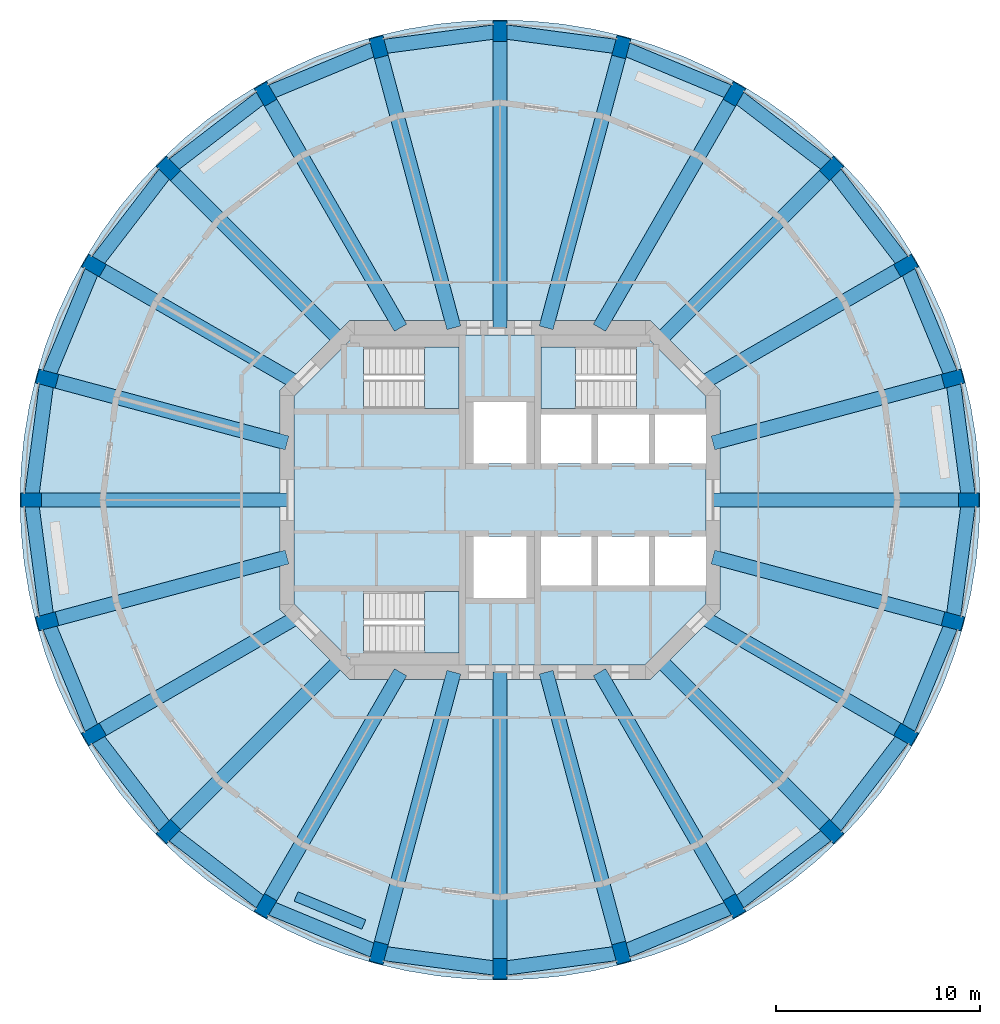
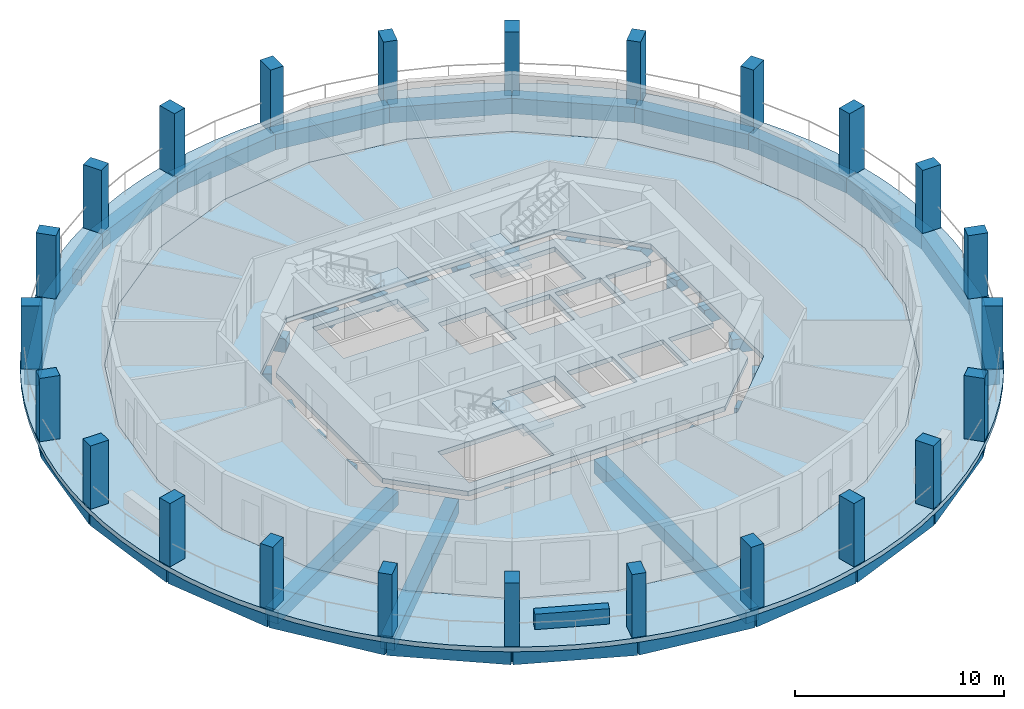
# One storey, part 1 of 8: 48 beams, 24 columns, 6 slabs, 1 wall, 3 elements without a shape of their own.
"""IFC4 building model written with IfcOpenShell, lengths in metres."""

import ifcopenshell
import ifcopenshell.guid

model = None  # the IFC model being written
_history = None  # IfcOwnerHistory: only IFC2X3 demands one
_inside = {}  # id of a spatial element -> (the spatial element, [elements in it])
_under = {}  # id of a project, library or spatial element -> (it, [spatial elements below it])
_declared = {}  # id of a project -> (the project, [libraries it declares])
_typed = {}  # id of a type object -> (the type object, [elements of that type])
_made_of = {}  # id of a material, layer set ... -> (it, [elements and type objects made of it])


def new_model(schema):
    """Start an empty IFC model of exactly this schema.

    Asked for "IFC4X3", IfcOpenShell would pick the latest addendum, in which some entities
    have other attributes; the version numbers below select the first issue.
    IFC2X3 requires an IfcOwnerHistory on every rooted entity: one is made here for all.
    """
    global model, _history
    if schema == "IFC4X3":
        model = ifcopenshell.file(schema_version=(4, 3, 0, 0))
    else:
        model = ifcopenshell.file(schema=schema)
    _inside.clear()
    _under.clear()
    _declared.clear()
    _typed.clear()
    _made_of.clear()
    _history = None
    if model.schema == "IFC2X3":
        org = make("IfcOrganization", Name="unknown")
        user = make(
            "IfcPersonAndOrganization",
            ThePerson=make("IfcPerson", FamilyName="unknown"),
            TheOrganization=org,
        )
        app = make(
            "IfcApplication",
            ApplicationDeveloper=org,
            Version="unknown",
            ApplicationFullName="unknown",
            ApplicationIdentifier="unknown",
        )
        _history = make(
            "IfcOwnerHistory",
            OwningUser=user,
            OwningApplication=app,
            ChangeAction="ADDED",
            CreationDate=0,
        )
    return model


def make(cls, **values):
    """One entity of the class cls with the attributes given. An attribute that is None is left unset."""
    return model.create_entity(
        cls, **{name: value for name, value in values.items() if value is not None}
    )


def rooted(cls, **values):
    """An entity with a GlobalId (a new one), such as an element, a storey or a relation."""
    return make(cls, GlobalId=ifcopenshell.guid.new(), OwnerHistory=_history, **values)


def si_unit(unit_type, name, prefix=None):
    """IfcSIUnit, for example si_unit("LENGTHUNIT", "METRE", prefix="MILLI")."""
    return make("IfcSIUnit", UnitType=unit_type, Prefix=prefix, Name=name)


def assignment(units):
    """IfcUnitAssignment: the units of a project."""
    return None if units is None else make("IfcUnitAssignment", Units=units)


def point(xyz):
    """IfcCartesianPoint."""
    return None if xyz is None else make("IfcCartesianPoint", Coordinates=xyz)


def direction(xyz):
    """IfcDirection."""
    return None if xyz is None else make("IfcDirection", DirectionRatios=xyz)


def frame(location, z_axis=None, x_axis=None):
    """IfcAxis2Placement3D, a coordinate frame: its origin and axes. An axis left out is left unset."""
    return make(
        "IfcAxis2Placement3D",
        Location=point(location),
        Axis=direction(z_axis),
        RefDirection=direction(x_axis),
    )


def frame_2d(location, x_axis=None):
    """IfcAxis2Placement2D, a coordinate frame in the plane: its origin and x axis."""
    return make(
        "IfcAxis2Placement2D", Location=point(location), RefDirection=direction(x_axis)
    )


def origin():
    """The frame at (0, 0, 0) with its axes left unset."""
    return frame((0.0, 0.0, 0.0))


def origin_2d():
    """The frame at (0, 0) in the plane with its x axis left unset."""
    return frame_2d((0.0, 0.0))


def place(relative_to, where):
    """IfcLocalPlacement: puts the frame where relative to a parent placement (None: the world)."""
    return make(
        "IfcLocalPlacement", PlacementRelTo=relative_to, RelativePlacement=where
    )


def context(
    kind, dimensions, precision=None, world=None, true_north=None, identifier=None
):
    """IfcGeometricRepresentationContext, for example the 3D "Model" context."""
    return make(
        "IfcGeometricRepresentationContext",
        ContextIdentifier=identifier,
        ContextType=kind,
        CoordinateSpaceDimension=dimensions,
        Precision=precision,
        WorldCoordinateSystem=world,
        TrueNorth=true_north,
    )


def subcontext(parent, identifier, kind, view, scale=None):
    """IfcGeometricRepresentationSubContext, for example "Body" below "Model"."""
    return make(
        "IfcGeometricRepresentationSubContext",
        ContextIdentifier=identifier,
        ContextType=kind,
        ParentContext=parent,
        TargetScale=scale,
        TargetView=view,
    )


def project(units=None, contexts=None):
    """IfcProject with its units and contexts."""
    return rooted(
        "IfcProject",
        Name="project",
        RepresentationContexts=contexts,
        UnitsInContext=assignment(units),
    )


def spatial(cls, under=None, at=None, **own):
    """A site, building, storey or space (cls), placed at a placement, below another one or the project."""
    s = rooted(cls, ObjectPlacement=at, **own)
    if under is not None:
        _under.setdefault(under.id(), (under, []))[1].append(s)
    return s


def polyline(points):
    """IfcPolyline through the points."""
    return make("IfcPolyline", Points=[point(p) for p in points])


def profile(cls, at=None, kind="AREA", **sizes):
    """A parametric profile (cls). Its sizes go by their IFC names, for example OverallWidth=200.0."""
    return make(cls, ProfileType=kind, Position=at, **sizes)


def rectangle(**sizes):
    """IfcRectangleProfileDef."""
    return profile("IfcRectangleProfileDef", **sizes)


def outline(outer, holes=None, kind="AREA"):
    """IfcArbitraryClosedProfileDef: a profile drawn as a closed curve; with holes, ...WithVoids."""
    if holes is None:
        return make("IfcArbitraryClosedProfileDef", ProfileType=kind, OuterCurve=outer)
    return make(
        "IfcArbitraryProfileDefWithVoids",
        ProfileType=kind,
        OuterCurve=outer,
        InnerCurves=holes,
    )


def extrude(swept, where, along, depth):
    """IfcExtrudedAreaSolid: the profile swept, set in the frame where, extruded along a direction by depth."""
    return make(
        "IfcExtrudedAreaSolid",
        SweptArea=swept,
        Position=where,
        ExtrudedDirection=direction(along),
        Depth=depth,
    )


def shape(context_of_items, identifier, shape_type, items):
    """IfcShapeRepresentation: the items that make up one representation, for example the "Body"."""
    return make(
        "IfcShapeRepresentation",
        ContextOfItems=context_of_items,
        RepresentationIdentifier=identifier,
        RepresentationType=shape_type,
        Items=items,
    )


def material(Name=None, Category=None):
    """IfcMaterial."""
    return make("IfcMaterial", Name=Name, Category=Category)


def layer(
    of_material, thickness, ventilated=None, Name=None, Category=None, Priority=None
):
    """IfcMaterialLayer: one layer of a wall or slab, of a material (None: an air gap)."""
    return make(
        "IfcMaterialLayer",
        Material=of_material,
        LayerThickness=thickness,
        IsVentilated=ventilated,
        Name=Name,
        Category=Category,
        Priority=Priority,
    )


def layer_set(layers, Name=None):
    """IfcMaterialLayerSet."""
    return make("IfcMaterialLayerSet", MaterialLayers=layers, LayerSetName=Name)


def material_profile(
    of_material, cross_section, Name=None, Category=None, Priority=None
):
    """IfcMaterialProfile: a cross section and its material."""
    return make(
        "IfcMaterialProfile",
        Name=Name,
        Material=of_material,
        Profile=cross_section,
        Priority=Priority,
        Category=Category,
    )


def profile_set(profiles, Name=None, composite=None):
    """IfcMaterialProfileSet."""
    return make(
        "IfcMaterialProfileSet",
        Name=Name,
        MaterialProfiles=profiles,
        CompositeProfile=composite,
    )


def made_of(thing, what):
    """Note that an element or type object is made of a material, layer set ...; save() writes the relation."""
    if what is not None:
        _made_of.setdefault(what.id(), (what, []))[1].append(thing)
    return thing


def type_object(cls, material=None, **own):
    """A type object (cls), such as IfcWallType, which elements share."""
    return made_of(rooted(cls, **own), material)


def element(
    cls,
    number,
    at=None,
    inside=None,
    cuts=None,
    type_object=None,
    material=None,
    context=None,
    identifier="Body",
    shape_type=None,
    held_by="IfcProductDefinitionShape",
    body=None,
    shapes=None,
    **own,
):
    """One element of the class cls, such as IfcWall. Its Tag is "e" and its number.

    at: its placement. inside: the storey or other place that contains it. cuts: it is an
    opening in that element (IfcRelVoidsElement). A single representation is given by context,
    identifier, shape_type and body (its items); several are given by shapes. held_by: the class
    of the entity that holds the representations. save() writes the other relations.
    """
    e = rooted(cls, Tag="e%d" % number, ObjectPlacement=at, **own)
    if body is not None:
        shapes = [shape(context, identifier, shape_type, body)]
    if shapes is not None:
        e.Representation = make(held_by, Representations=shapes)
    if inside is not None:
        _inside.setdefault(inside.id(), (inside, []))[1].append(e)
    if cuts is not None:
        rooted(
            "IfcRelVoidsElement", RelatingBuildingElement=cuts, RelatedOpeningElement=e
        )
    if type_object is not None:
        _typed.setdefault(type_object.id(), (type_object, []))[1].append(e)
    return made_of(e, material)


def aggregate(whole, parts):
    """IfcRelAggregates: a whole, such as a stair, and the parts it consists of."""
    return rooted("IfcRelAggregates", RelatingObject=whole, RelatedObjects=parts)


def save(model, path):
    """Write the relations noted so far, then the file.

    IfcRelAggregates (storeys below a building ...), IfcRelContainedInSpatialStructure (elements
    in a storey), IfcRelDefinesByType, IfcRelAssociatesMaterial and IfcRelDeclares: one each for
    every whole, place, type object, material and project.
    """
    for whole, parts in _under.values():
        aggregate(whole, parts)
    for where, things in _inside.values():
        rooted(
            "IfcRelContainedInSpatialStructure",
            RelatedElements=things,
            RelatingStructure=where,
        )
    for kind, things in _typed.values():
        rooted("IfcRelDefinesByType", RelatedObjects=things, RelatingType=kind)
    for what, things in _made_of.values():
        rooted("IfcRelAssociatesMaterial", RelatedObjects=things, RelatingMaterial=what)
    for by, libraries in _declared.values():
        rooted("IfcRelDeclares", RelatingContext=by, RelatedDefinitions=libraries)
    model.write(path)


model = new_model("IFC4")

# Units and contexts
model_context = context("Model", 3, precision=1e-05, world=origin(), true_north=direction((0.0, 1.0)))
body_context = subcontext(model_context, "Body", "Model", "MODEL_VIEW")
ifc_project = project(units=[si_unit("LENGTHUNIT", "METRE"), si_unit("AREAUNIT", "SQUARE_METRE"), si_unit("VOLUMEUNIT", "CUBIC_METRE"), si_unit("PLANEANGLEUNIT", "RADIAN"), si_unit("MASSUNIT", "GRAM", prefix="KILO")], contexts=[model_context])

# Site, building, storey
site_placement = place(None, origin())
site = spatial("IfcSite", under=ifc_project, at=site_placement, CompositionType="ELEMENT")
building_placement = place(site_placement, origin())
building = spatial("IfcBuilding", under=site, at=building_placement, Name="Torre Triforio", CompositionType="ELEMENT")
storey_placement = place(building_placement, frame((0.0, 0.0, 203.89990234375)))
storey = spatial("IfcBuildingStorey", under=building, at=storey_placement, Name="L46", CompositionType="ELEMENT", Elevation=203.89990234375)

# Columns
ifc_material_1 = material(Name="Concrete C50", Category="concrete")
ifc_material_profile_1 = material_profile(ifc_material_1, rectangle(XDim=0.699951171875, YDim=1.0, at=origin_2d()), Name="RC 700x1000")
ifc_profile_set_1 = profile_set([ifc_material_profile_1], Name="Concrete C50")
column_type = type_object("IfcColumnType", Name="Pier RC 700x1000 C50", PredefinedType="COLUMN", material=ifc_profile_set_1)
for number, where, z_axis, x_axis, name in (
    (1, (23.0, 0.0, 0.0), (0.0, 0.0, 1.0), (0.0, 1.0, 0.0), "COL.R.L46.00"),
    (2, (22.21630859375, 5.952880859375, 0.0), (0.0, 0.0, 1.0), (-0.258819045103, 0.965925826289, 0.0), "COL.R.L46.01"),
    (3, (19.918701171875, 11.5, 0.0), (0.0, 0.0, 1.0), (-0.5, 0.866025403784, 0.0), "COL.R.L46.02"),
    (4, (16.263427734375, 16.263427734375, 0.0), (0.0, 0.0, 1.0), (-0.707106781187, 0.707106781187, 0.0), "COL.R.L46.03"),
    (5, (11.5, 19.918701171875, 0.0), (0.0, 0.0, 1.0), (-0.866025403784, 0.5, 0.0), "COL.R.L46.04"),
    (6, (5.952880859375, 22.21630859375, 0.0), (0.0, 0.0, 1.0), (-0.965925826289, 0.258819045103, 0.0), "COL.R.L46.05"),
    (7, (0.0, 23.0, 0.0), (0.0, 0.0, 1.0), (-1.0, 0.0, 0.0), "COL.R.L46.06"),
    (8, (-5.952880859375, 22.21630859375, 0.0), (0.0, 0.0, 1.0), (-0.965925826289, -0.258819045103, 0.0), "COL.R.L46.07"),
    (9, (-11.5, 19.918701171875, 0.0), (0.0, 0.0, 1.0), (-0.866025403784, -0.5, 0.0), "COL.R.L46.08"),
    (10, (-16.263427734375, 16.263427734375, 0.0), (0.0, 0.0, 1.0), (-0.707106781187, -0.707106781187, 0.0), "COL.R.L46.09"),
    (11, (-19.918701171875, 11.5, 0.0), (0.0, 0.0, 1.0), (-0.5, -0.866025403784, 0.0), "COL.R.L46.10"),
    (12, (-22.21630859375, 5.952880859375, 0.0), (0.0, 0.0, 1.0), (-0.258819045103, -0.965925826289, 0.0), "COL.R.L46.11"),
    (13, (-23.0, 0.0, 0.0), (0.0, 0.0, 1.0), (0.0, -1.0, 0.0), "COL.R.L46.12"),
    (14, (-22.21630859375, -5.952880859375, 0.0), (0.0, 0.0, 1.0), (0.258819045103, -0.965925826289, 0.0), "COL.R.L46.13"),
    (15, (-19.918701171875, -11.5, 0.0), (0.0, 0.0, 1.0), (0.5, -0.866025403784, 0.0), "COL.R.L46.14"),
    (16, (-16.263427734375, -16.263427734375, 0.0), (0.0, 0.0, 1.0), (0.707106781187, -0.707106781187, 0.0), "COL.R.L46.15"),
    (17, (-11.5, -19.918701171875, 0.0), (0.0, 0.0, 1.0), (0.866025403784, -0.5, 0.0), "COL.R.L46.16"),
    (18, (-5.952880859375, -22.21630859375, 0.0), (0.0, 0.0, 1.0), (0.965925826289, -0.258819045103, 0.0), "COL.R.L46.17"),
    (19, (0.0, -23.0, 0.0), (0.0, 0.0, 1.0), (1.0, 0.0, 0.0), "COL.R.L46.18"),
    (20, (5.952880859375, -22.21630859375, 0.0), (0.0, 0.0, 1.0), (0.965925826289, 0.258819045103, 0.0), "COL.R.L46.19"),
    (21, (11.5, -19.918701171875, 0.0), (0.0, 0.0, 1.0), (0.866025403784, 0.5, 0.0), "COL.R.L46.20"),
    (22, (16.263427734375, -16.263427734375, 0.0), (0.0, 0.0, 1.0), (0.707106781187, 0.707106781187, 0.0), "COL.R.L46.21"),
    (23, (19.918701171875, -11.5, 0.0), (0.0, 0.0, 1.0), (0.5, 0.866025403784, 0.0), "COL.R.L46.22"),
    (24, (22.21630859375, -5.952880859375, 0.0), (0.0, 0.0, 1.0), (0.258819045103, 0.965925826289, 0.0), "COL.R.L46.23"),
):
    element("IfcColumn", number, at=place(storey_placement, frame(where, z_axis=z_axis, x_axis=x_axis)), inside=storey, type_object=column_type, Name=name, PredefinedType="COLUMN", context=body_context, shape_type="SweptSolid", body=[
        extrude(rectangle(XDim=0.699951171875, YDim=1.0, at=origin_2d()), origin(), (0.0, 0.0, 1.0), 3.7001953125),
    ])

# Beams
ifc_material_2 = material(Name="Concrete C40", Category="concrete")
ifc_material_profile_2 = material_profile(ifc_material_2, rectangle(XDim=0.699951171875, YDim=0.800048828125, at=origin_2d()), Name="RC 700x800")
ifc_profile_set_2 = profile_set([ifc_material_profile_2], Name="Concrete C40")
beam_type_1 = type_object("IfcBeamType", Name="Radial beam RC 700x800 C40", PredefinedType="BEAM", material=ifc_profile_set_2)
beam_1_placement = place(storey_placement, frame((10.449951171875, 0.0, -0.679931640625), z_axis=(1.0, 0.0, 0.0), x_axis=(0.0, 1.0, 0.0)))
element("IfcBeam", 25, at=beam_1_placement, inside=storey, type_object=beam_type_1, Name="BM.R.L46.00", PredefinedType="BEAM", context=body_context, shape_type="SweptSolid", body=[
    extrude(rectangle(XDim=0.699951171875, YDim=0.800048828125, at=origin_2d()), origin(), (0.0, 0.0, 1.0), 12.550048828125),
])
beam_2_placement = place(storey_placement, frame((10.449951171875, 2.800048828125, -0.679931640625), z_axis=(0.965924880947, 0.258822573141, 0.0), x_axis=(-0.258822573141, 0.965924880947, 0.0)))
element("IfcBeam", 26, at=beam_2_placement, inside=storey, type_object=beam_type_1, Name="BM.R.L46.01", PredefinedType="BEAM", context=body_context, shape_type="SweptSolid", body=[
    extrude(rectangle(XDim=0.699951171875, YDim=0.800048828125, at=origin_2d()), origin(), (0.0, 0.0, 1.0), 12.181396484375),
])
beam_3_placement = place(storey_placement, frame((9.9501953125, 5.744873046875, -0.679931640625), z_axis=(0.866032648629, 0.499987451351, 0.0), x_axis=(-0.499987451351, 0.866032648629, 0.0)))
element("IfcBeam", 27, at=beam_3_placement, inside=storey, type_object=beam_type_1, Name="BM.R.L46.02", PredefinedType="BEAM", context=body_context, shape_type="SweptSolid", body=[
    extrude(rectangle(XDim=0.699951171875, YDim=0.800048828125, at=origin_2d()), origin(), (0.0, 0.0, 1.0), 11.510498046875),
])
beam_4_placement = place(storey_placement, frame((7.847412109375, 7.847412109375, -0.679931640625), z_axis=(0.707106781187, 0.707106781187, 0.0), x_axis=(-0.707106781187, 0.707106781187, 0.0)))
element("IfcBeam", 28, at=beam_4_placement, inside=storey, type_object=beam_type_1, Name="BM.R.L46.03", PredefinedType="BEAM", context=body_context, shape_type="SweptSolid", body=[
    extrude(rectangle(XDim=0.699951171875, YDim=0.800048828125, at=origin_2d()), origin(), (0.0, 0.0, 1.0), 11.902099609375),
])
beam_5_placement = place(storey_placement, frame((4.878662109375, 8.449951171875, -0.679931640625), z_axis=(0.499991617607, 0.866030243307, 0.0), x_axis=(-0.866030243307, 0.499991617607, 0.0)))
element("IfcBeam", 29, at=beam_5_placement, inside=storey, type_object=beam_type_1, Name="BM.R.L46.04", PredefinedType="BEAM", context=body_context, shape_type="SweptSolid", body=[
    extrude(rectangle(XDim=0.699951171875, YDim=0.800048828125, at=origin_2d()), origin(), (0.0, 0.0, 1.0), 13.242919921875),
])
beam_6_placement = place(storey_placement, frame((2.26416015625, 8.449951171875, -0.679931640625), z_axis=(0.258821424719, 0.96592518867, 0.0), x_axis=(-0.96592518867, 0.258821424719, 0.0)))
element("IfcBeam", 30, at=beam_6_placement, inside=storey, type_object=beam_type_1, Name="BM.R.L46.05", PredefinedType="BEAM", context=body_context, shape_type="SweptSolid", body=[
    extrude(rectangle(XDim=0.699951171875, YDim=0.800048828125, at=origin_2d()), origin(), (0.0, 0.0, 1.0), 14.251953125),
])
beam_7_placement = place(storey_placement, frame((0.0, 8.449951171875, -0.679931640625), z_axis=(0.0, 1.0, 0.0), x_axis=(-1.0, 0.0, 0.0)))
element("IfcBeam", 31, at=beam_7_placement, inside=storey, type_object=beam_type_1, Name="BM.R.L46.06", PredefinedType="BEAM", context=body_context, shape_type="SweptSolid", body=[
    extrude(rectangle(XDim=0.699951171875, YDim=0.800048828125, at=origin_2d()), origin(), (0.0, 0.0, 1.0), 14.550048828125),
])
beam_8_placement = place(storey_placement, frame((-2.26416015625, 8.449951171875, -0.679931640625), z_axis=(-0.258821424719, 0.96592518867, 0.0), x_axis=(-0.96592518867, -0.258821424719, 0.0)))
element("IfcBeam", 32, at=beam_8_placement, inside=storey, type_object=beam_type_1, Name="BM.R.L46.07", PredefinedType="BEAM", context=body_context, shape_type="SweptSolid", body=[
    extrude(rectangle(XDim=0.699951171875, YDim=0.800048828125, at=origin_2d()), origin(), (0.0, 0.0, 1.0), 14.251953125),
])
beam_9_placement = place(storey_placement, frame((-4.878662109375, 8.449951171875, -0.679931640625), z_axis=(-0.499991617607, 0.866030243307, 0.0), x_axis=(-0.866030243307, -0.499991617607, 0.0)))
element("IfcBeam", 33, at=beam_9_placement, inside=storey, type_object=beam_type_1, Name="BM.R.L46.08", PredefinedType="BEAM", context=body_context, shape_type="SweptSolid", body=[
    extrude(rectangle(XDim=0.699951171875, YDim=0.800048828125, at=origin_2d()), origin(), (0.0, 0.0, 1.0), 13.242919921875),
])
beam_10_placement = place(storey_placement, frame((-7.847412109375, 7.847412109375, -0.679931640625), z_axis=(-0.707106781187, 0.707106781187, 0.0), x_axis=(-0.707106781187, -0.707106781187, 0.0)))
element("IfcBeam", 34, at=beam_10_placement, inside=storey, type_object=beam_type_1, Name="BM.R.L46.09", PredefinedType="BEAM", context=body_context, shape_type="SweptSolid", body=[
    extrude(rectangle(XDim=0.699951171875, YDim=0.800048828125, at=origin_2d()), origin(), (0.0, 0.0, 1.0), 11.902099609375),
])
beam_11_placement = place(storey_placement, frame((-9.9501953125, 5.744873046875, -0.679931640625), z_axis=(-0.866032648629, 0.499987451351, 0.0), x_axis=(-0.499987451351, -0.866032648629, 0.0)))
element("IfcBeam", 35, at=beam_11_placement, inside=storey, type_object=beam_type_1, Name="BM.R.L46.10", PredefinedType="BEAM", context=body_context, shape_type="SweptSolid", body=[
    extrude(rectangle(XDim=0.699951171875, YDim=0.800048828125, at=origin_2d()), origin(), (0.0, 0.0, 1.0), 11.510498046875),
])
beam_12_placement = place(storey_placement, frame((-10.449951171875, 2.800048828125, -0.679931640625), z_axis=(-0.965924880947, 0.258822573141, 0.0), x_axis=(-0.258822573141, -0.965924880947, 0.0)))
element("IfcBeam", 36, at=beam_12_placement, inside=storey, type_object=beam_type_1, Name="BM.R.L46.11", PredefinedType="BEAM", context=body_context, shape_type="SweptSolid", body=[
    extrude(rectangle(XDim=0.699951171875, YDim=0.800048828125, at=origin_2d()), origin(), (0.0, 0.0, 1.0), 12.181396484375),
])
beam_13_placement = place(storey_placement, frame((-10.449951171875, 0.0, -0.679931640625), z_axis=(-1.0, 0.0, 0.0), x_axis=(0.0, -1.0, 0.0)))
element("IfcBeam", 37, at=beam_13_placement, inside=storey, type_object=beam_type_1, Name="BM.R.L46.12", PredefinedType="BEAM", context=body_context, shape_type="SweptSolid", body=[
    extrude(rectangle(XDim=0.699951171875, YDim=0.800048828125, at=origin_2d()), origin(), (0.0, 0.0, 1.0), 12.550048828125),
])
beam_14_placement = place(storey_placement, frame((-10.449951171875, -2.800048828125, -0.679931640625), z_axis=(-0.965924880947, -0.258822573141, 0.0), x_axis=(0.258822573141, -0.965924880947, 0.0)))
element("IfcBeam", 38, at=beam_14_placement, inside=storey, type_object=beam_type_1, Name="BM.R.L46.13", PredefinedType="BEAM", context=body_context, shape_type="SweptSolid", body=[
    extrude(rectangle(XDim=0.699951171875, YDim=0.800048828125, at=origin_2d()), origin(), (0.0, 0.0, 1.0), 12.181396484375),
])
beam_15_placement = place(storey_placement, frame((-9.9501953125, -5.744873046875, -0.679931640625), z_axis=(-0.866032648629, -0.499987451351, 0.0), x_axis=(0.499987451351, -0.866032648629, 0.0)))
element("IfcBeam", 39, at=beam_15_placement, inside=storey, type_object=beam_type_1, Name="BM.R.L46.14", PredefinedType="BEAM", context=body_context, shape_type="SweptSolid", body=[
    extrude(rectangle(XDim=0.699951171875, YDim=0.800048828125, at=origin_2d()), origin(), (0.0, 0.0, 1.0), 11.510498046875),
])
beam_16_placement = place(storey_placement, frame((-7.847412109375, -7.847412109375, -0.679931640625), z_axis=(-0.707106781187, -0.707106781187, 0.0), x_axis=(0.707106781187, -0.707106781187, 0.0)))
element("IfcBeam", 40, at=beam_16_placement, inside=storey, type_object=beam_type_1, Name="BM.R.L46.15", PredefinedType="BEAM", context=body_context, shape_type="SweptSolid", body=[
    extrude(rectangle(XDim=0.699951171875, YDim=0.800048828125, at=origin_2d()), origin(), (0.0, 0.0, 1.0), 11.902099609375),
])
beam_17_placement = place(storey_placement, frame((-4.878662109375, -8.449951171875, -0.679931640625), z_axis=(-0.499991617607, -0.866030243307, 0.0), x_axis=(0.866030243307, -0.499991617607, 0.0)))
element("IfcBeam", 41, at=beam_17_placement, inside=storey, type_object=beam_type_1, Name="BM.R.L46.16", PredefinedType="BEAM", context=body_context, shape_type="SweptSolid", body=[
    extrude(rectangle(XDim=0.699951171875, YDim=0.800048828125, at=origin_2d()), origin(), (0.0, 0.0, 1.0), 13.242919921875),
])
beam_18_placement = place(storey_placement, frame((-2.26416015625, -8.449951171875, -0.679931640625), z_axis=(-0.258821424719, -0.96592518867, 0.0), x_axis=(0.96592518867, -0.258821424719, 0.0)))
element("IfcBeam", 42, at=beam_18_placement, inside=storey, type_object=beam_type_1, Name="BM.R.L46.17", PredefinedType="BEAM", context=body_context, shape_type="SweptSolid", body=[
    extrude(rectangle(XDim=0.699951171875, YDim=0.800048828125, at=origin_2d()), origin(), (0.0, 0.0, 1.0), 14.251953125),
])
beam_19_placement = place(storey_placement, frame((0.0, -8.449951171875, -0.679931640625), z_axis=(0.0, -1.0, 0.0), x_axis=(1.0, 0.0, 0.0)))
element("IfcBeam", 43, at=beam_19_placement, inside=storey, type_object=beam_type_1, Name="BM.R.L46.18", PredefinedType="BEAM", context=body_context, shape_type="SweptSolid", body=[
    extrude(rectangle(XDim=0.699951171875, YDim=0.800048828125, at=origin_2d()), origin(), (0.0, 0.0, 1.0), 14.550048828125),
])
beam_20_placement = place(storey_placement, frame((2.26416015625, -8.449951171875, -0.679931640625), z_axis=(0.258821424719, -0.96592518867, 0.0), x_axis=(0.96592518867, 0.258821424719, 0.0)))
element("IfcBeam", 44, at=beam_20_placement, inside=storey, type_object=beam_type_1, Name="BM.R.L46.19", PredefinedType="BEAM", context=body_context, shape_type="SweptSolid", body=[
    extrude(rectangle(XDim=0.699951171875, YDim=0.800048828125, at=origin_2d()), origin(), (0.0, 0.0, 1.0), 14.251953125),
])
beam_21_placement = place(storey_placement, frame((4.878662109375, -8.449951171875, -0.679931640625), z_axis=(0.499991617607, -0.866030243307, 0.0), x_axis=(0.866030243307, 0.499991617607, 0.0)))
element("IfcBeam", 45, at=beam_21_placement, inside=storey, type_object=beam_type_1, Name="BM.R.L46.20", PredefinedType="BEAM", context=body_context, shape_type="SweptSolid", body=[
    extrude(rectangle(XDim=0.699951171875, YDim=0.800048828125, at=origin_2d()), origin(), (0.0, 0.0, 1.0), 13.242919921875),
])
beam_22_placement = place(storey_placement, frame((7.847412109375, -7.847412109375, -0.679931640625), z_axis=(0.707106781187, -0.707106781187, 0.0), x_axis=(0.707106781187, 0.707106781187, 0.0)))
element("IfcBeam", 46, at=beam_22_placement, inside=storey, type_object=beam_type_1, Name="BM.R.L46.21", PredefinedType="BEAM", context=body_context, shape_type="SweptSolid", body=[
    extrude(rectangle(XDim=0.699951171875, YDim=0.800048828125, at=origin_2d()), origin(), (0.0, 0.0, 1.0), 11.902099609375),
])
beam_23_placement = place(storey_placement, frame((9.9501953125, -5.744873046875, -0.679931640625), z_axis=(0.866032648629, -0.499987451351, 0.0), x_axis=(0.499987451351, 0.866032648629, 0.0)))
element("IfcBeam", 47, at=beam_23_placement, inside=storey, type_object=beam_type_1, Name="BM.R.L46.22", PredefinedType="BEAM", context=body_context, shape_type="SweptSolid", body=[
    extrude(rectangle(XDim=0.699951171875, YDim=0.800048828125, at=origin_2d()), origin(), (0.0, 0.0, 1.0), 11.510498046875),
])
beam_24_placement = place(storey_placement, frame((10.449951171875, -2.800048828125, -0.679931640625), z_axis=(0.965924880947, -0.258822573141, 0.0), x_axis=(0.258822573141, 0.965924880947, 0.0)))
element("IfcBeam", 48, at=beam_24_placement, inside=storey, type_object=beam_type_1, Name="BM.R.L46.23", PredefinedType="BEAM", context=body_context, shape_type="SweptSolid", body=[
    extrude(rectangle(XDim=0.699951171875, YDim=0.800048828125, at=origin_2d()), origin(), (0.0, 0.0, 1.0), 12.181396484375),
])
ifc_material_profile_3 = material_profile(ifc_material_2, rectangle(XDim=0.699951171875, YDim=0.89990234375, at=origin_2d()), Name="RC 700x900")
ifc_profile_set_3 = profile_set([ifc_material_profile_3], Name="Concrete C40")
beam_type_2 = type_object("IfcBeamType", Name="Spandrel beam RC 700x900 C40", PredefinedType="SPANDREL", material=ifc_profile_set_3)
for number, where, z_axis, x_axis, name in (
    (49, (23.0, 0.0, -0.72998046875), (-0.130522880875, 0.991445297315, 0.0), (-0.991445297315, -0.130522880875, 0.0), "BM.S.L46.00"),
    (50, (22.21630859375, 5.952880859375, -0.72998046875), (-0.382671411433, 0.923884511653, 0.0), (-0.923884511653, -0.382671411433, 0.0), "BM.S.L46.01"),
    (51, (19.918701171875, 11.5, -0.72998046875), (-0.608778912074, 0.793339924758, 0.0), (-0.793339924758, -0.608778912074, 0.0), "BM.S.L46.02"),
    (52, (16.263427734375, 16.263427734375, -0.72998046875), (-0.793339924758, 0.608778912074, 0.0), (-0.608778912074, -0.793339924758, 0.0), "BM.S.L46.03"),
    (53, (11.5, 19.918701171875, -0.72998046875), (-0.923884511653, 0.382671411433, 0.0), (-0.382671411433, -0.923884511653, 0.0), "BM.S.L46.04"),
    (54, (5.952880859375, 22.21630859375, -0.72998046875), (-0.991445297315, 0.130522880875, 0.0), (-0.130522880875, -0.991445297315, 0.0), "BM.S.L46.05"),
    (55, (0.0, 23.0, -0.72998046875), (-0.991445297315, -0.130522880875, 0.0), (0.130522880875, -0.991445297315, 0.0), "BM.S.L46.06"),
    (56, (-5.952880859375, 22.21630859375, -0.72998046875), (-0.923884511653, -0.382671411433, 0.0), (0.382671411433, -0.923884511653, 0.0), "BM.S.L46.07"),
    (57, (-11.5, 19.918701171875, -0.72998046875), (-0.793339924758, -0.608778912074, 0.0), (0.608778912074, -0.793339924758, 0.0), "BM.S.L46.08"),
    (58, (-16.263427734375, 16.263427734375, -0.72998046875), (-0.608778912074, -0.793339924758, 0.0), (0.793339924758, -0.608778912074, 0.0), "BM.S.L46.09"),
    (59, (-19.918701171875, 11.5, -0.72998046875), (-0.382671411433, -0.923884511653, 0.0), (0.923884511653, -0.382671411433, 0.0), "BM.S.L46.10"),
    (60, (-22.21630859375, 5.952880859375, -0.72998046875), (-0.130522880875, -0.991445297315, 0.0), (0.991445297315, -0.130522880875, 0.0), "BM.S.L46.11"),
    (61, (-23.0, 0.0, -0.72998046875), (0.130522880875, -0.991445297315, 0.0), (0.991445297315, 0.130522880875, 0.0), "BM.S.L46.12"),
    (62, (-22.21630859375, -5.952880859375, -0.72998046875), (0.382671411433, -0.923884511653, 0.0), (0.923884511653, 0.382671411433, 0.0), "BM.S.L46.13"),
    (63, (-19.918701171875, -11.5, -0.72998046875), (0.608778912074, -0.793339924758, 0.0), (0.793339924758, 0.608778912074, 0.0), "BM.S.L46.14"),
    (64, (-16.263427734375, -16.263427734375, -0.72998046875), (0.793339924758, -0.608778912074, 0.0), (0.608778912074, 0.793339924758, 0.0), "BM.S.L46.15"),
    (65, (-11.5, -19.918701171875, -0.72998046875), (0.923884511653, -0.382671411433, 0.0), (0.382671411433, 0.923884511653, 0.0), "BM.S.L46.16"),
    (66, (-5.952880859375, -22.21630859375, -0.72998046875), (0.991445297315, -0.130522880875, 0.0), (0.130522880875, 0.991445297315, 0.0), "BM.S.L46.17"),
    (67, (0.0, -23.0, -0.72998046875), (0.991445297315, 0.130522880875, 0.0), (-0.130522880875, 0.991445297315, 0.0), "BM.S.L46.18"),
    (68, (5.952880859375, -22.21630859375, -0.72998046875), (0.923884511653, 0.382671411433, 0.0), (-0.382671411433, 0.923884511653, 0.0), "BM.S.L46.19"),
    (69, (11.5, -19.918701171875, -0.72998046875), (0.793339924758, 0.608778912074, 0.0), (-0.608778912074, 0.793339924758, 0.0), "BM.S.L46.20"),
    (70, (16.263427734375, -16.263427734375, -0.72998046875), (0.608778912074, 0.793339924758, 0.0), (-0.793339924758, 0.608778912074, 0.0), "BM.S.L46.21"),
    (71, (19.918701171875, -11.5, -0.72998046875), (0.382671411433, 0.923884511653, 0.0), (-0.923884511653, 0.382671411433, 0.0), "BM.S.L46.22"),
    (72, (22.21630859375, -5.952880859375, -0.72998046875), (0.130522880875, 0.991445297315, 0.0), (-0.991445297315, 0.130522880875, 0.0), "BM.S.L46.23"),
):
    element("IfcBeam", number, at=place(storey_placement, frame(where, z_axis=z_axis, x_axis=x_axis)), inside=storey, type_object=beam_type_2, Name=name, PredefinedType="SPANDREL", context=body_context, shape_type="SweptSolid", body=[
        extrude(rectangle(XDim=0.699951171875, YDim=0.89990234375, at=origin_2d()), origin(), (0.0, 0.0, 1.0), 6.004150390625),
    ])

# Slabs
ifc_layer_1 = layer(ifc_material_1, 0.280029296875)
ifc_layer_set_1 = layer_set([ifc_layer_1], Name="Concrete C50")
slab_type_1 = type_object("IfcSlabType", Name="Core floor slab 280 mm C50 REI 120", PredefinedType="FLOOR", material=ifc_layer_set_1)
slab_1_placement = place(storey_placement, frame((0.0, 0.0, -0.27978515625)))
element("IfcSlab", 73, at=slab_1_placement, inside=storey, type_object=slab_type_1, Name="Core floor slab", PredefinedType="FLOOR", context=body_context, shape_type="SweptSolid", body=[
    extrude(outline(polyline([(10.10009765625, -5.10009765625), (7.10009765625, -8.10009765625), (-7.10009765625, -8.10009765625), (-10.10009765625, -5.10009765625), (-10.10009765625, 5.10009765625), (-7.10009765625, 8.10009765625), (7.10009765625, 8.10009765625), (10.10009765625, 5.10009765625), (10.10009765625, 4.199951171875), (7.60009765625, 4.199951171875), (7.60009765625, 1.800048828125), (10.10009765625, 1.800048828125), (10.10009765625, -1.800048828125), (7.60009765625, -1.800048828125), (7.60009765625, -4.199951171875), (10.10009765625, -4.199951171875), (10.10009765625, -5.10009765625)]), holes=[polyline([(-6.696044921875, -4.5), (-6.696044921875, -7.5), (-2.0, -7.5), (-2.0, -4.5), (-6.696044921875, -4.5)]), polyline([(-1.300048828125, -1.800048828125), (-1.300048828125, -4.800048828125), (1.300048828125, -4.800048828125), (1.300048828125, -1.800048828125), (-1.300048828125, -1.800048828125)]), polyline([(2.0, -1.800048828125), (2.0, -4.199951171875), (4.5, -4.199951171875), (4.5, -1.800048828125), (2.0, -1.800048828125)]), polyline([(4.5, 4.199951171875), (2.0, 4.199951171875), (2.0, 1.800048828125), (4.5, 1.800048828125), (4.5, 4.199951171875)]), polyline([(1.300048828125, 4.800048828125), (-1.300048828125, 4.800048828125), (-1.300048828125, 1.800048828125), (1.300048828125, 1.800048828125), (1.300048828125, 4.800048828125)]), polyline([(-6.696044921875, 7.5), (-6.696044921875, 4.5), (-2.0, 4.5), (-2.0, 7.5), (-6.696044921875, 7.5)]), polyline([(7.300048828125, -1.800048828125), (4.800048828125, -1.800048828125), (4.800048828125, -4.199951171875), (7.300048828125, -4.199951171875), (7.300048828125, -1.800048828125)]), polyline([(4.800048828125, 4.199951171875), (4.800048828125, 1.800048828125), (7.300048828125, 1.800048828125), (7.300048828125, 4.199951171875), (4.800048828125, 4.199951171875)]), polyline([(6.696044921875, 7.5), (2.0, 7.5), (2.0, 4.5), (6.696044921875, 4.5), (6.696044921875, 7.5)])]), origin(), (0.0, 0.0, 1.0), 0.27978515625),
])
ifc_layer_2 = layer(ifc_material_2, 0.280029296875)
ifc_layer_set_2 = layer_set([ifc_layer_2], Name="Concrete C40")
slab_type_2 = type_object("IfcSlabType", Name="Floor slab 280 C40", PredefinedType="FLOOR", material=ifc_layer_set_2)
slab_2_placement = place(storey_placement, frame((0.0, 0.0, -0.27978515625)))
element("IfcSlab", 74, at=slab_2_placement, inside=storey, type_object=slab_type_2, Name="SL.L46", PredefinedType="FLOOR", context=body_context, shape_type="SweptSolid", body=[
    extrude(outline(polyline([(16.887451171875, -9.75), (18.83544921875, -5.046875), (19.5, 0.0), (18.83544921875, 5.046875), (16.887451171875, 9.75), (13.78857421875, 13.78857421875), (9.75, 16.887451171875), (5.046875, 18.83544921875), (0.0, 19.5), (-5.046875, 18.83544921875), (-9.75, 16.887451171875), (-13.78857421875, 13.78857421875), (-16.887451171875, 9.75), (-18.83544921875, 5.046875), (-19.5, 0.0), (-18.83544921875, -5.046875), (-16.887451171875, -9.75), (-13.78857421875, -13.78857421875), (-9.75, -16.887451171875), (-5.046875, -18.83544921875), (0.0, -19.5), (5.046875, -18.83544921875), (9.75, -16.887451171875), (13.78857421875, -13.78857421875), (16.887451171875, -9.75)]), holes=[polyline([(10.800048828125, 5.389892578125), (10.800048828125, -5.389892578125), (7.389892578125, -8.800048828125), (-7.389892578125, -8.800048828125), (-10.800048828125, -5.389892578125), (-10.800048828125, 5.389892578125), (-7.389892578125, 8.800048828125), (7.389892578125, 8.800048828125), (10.800048828125, 5.389892578125)])]), origin(), (0.0, 0.0, 1.0), 0.27978515625),
])
ifc_layer_3 = layer(ifc_material_2, 0.280029296875)
ifc_layer_set_3 = layer_set([ifc_layer_3], Name="Concrete C40")
slab_type_3 = type_object("IfcSlabType", Name="Loggia slab 280 C40", PredefinedType="FLOOR", material=ifc_layer_set_3)
slab_3_placement = place(storey_placement, frame((0.0, 0.0, -0.27978515625)))
element("IfcSlab", 75, at=slab_3_placement, inside=storey, type_object=slab_type_3, Name="SL.L46.LG", PredefinedType="FLOOR", context=body_context, shape_type="SweptSolid", body=[
    extrude(outline(polyline([(23.49951171875, -1.540283203125), (23.550048828125, 0.0), (23.49951171875, 1.540283203125), (23.3486328125, 3.073974609375), (23.097412109375, 4.594482421875), (22.74755859375, 6.09521484375), (22.30029296875, 7.56982421875), (21.75732421875, 9.01220703125), (21.121337890625, 10.416015625), (20.39501953125, 11.77490234375), (19.5810546875, 13.083740234375), (18.683349609375, 14.33642578125), (17.705810546875, 15.527587890625), (16.65234375, 16.65234375), (15.527587890625, 17.705810546875), (14.33642578125, 18.683349609375), (13.083740234375, 19.5810546875), (11.77490234375, 20.39501953125), (10.416015625, 21.121337890625), (9.01220703125, 21.75732421875), (7.56982421875, 22.30029296875), (6.09521484375, 22.74755859375), (4.594482421875, 23.097412109375), (3.073974609375, 23.3486328125), (1.540283203125, 23.49951171875), (0.0, 23.550048828125), (-1.540283203125, 23.49951171875), (-3.073974609375, 23.3486328125), (-4.594482421875, 23.097412109375), (-6.09521484375, 22.74755859375), (-7.56982421875, 22.30029296875), (-9.01220703125, 21.75732421875), (-10.416015625, 21.121337890625), (-11.77490234375, 20.39501953125), (-13.083740234375, 19.5810546875), (-14.33642578125, 18.683349609375), (-15.527587890625, 17.705810546875), (-16.65234375, 16.65234375), (-17.705810546875, 15.527587890625), (-18.683349609375, 14.33642578125), (-19.5810546875, 13.083740234375), (-20.39501953125, 11.77490234375), (-21.121337890625, 10.416015625), (-21.75732421875, 9.01220703125), (-22.30029296875, 7.56982421875), (-22.74755859375, 6.09521484375), (-23.097412109375, 4.594482421875), (-23.3486328125, 3.073974609375), (-23.49951171875, 1.540283203125), (-23.550048828125, 0.0), (-23.49951171875, -1.540283203125), (-23.3486328125, -3.073974609375), (-23.097412109375, -4.594482421875), (-22.74755859375, -6.09521484375), (-22.30029296875, -7.56982421875), (-21.75732421875, -9.01220703125), (-21.121337890625, -10.416015625), (-20.39501953125, -11.77490234375), (-19.5810546875, -13.083740234375), (-18.683349609375, -14.33642578125), (-17.705810546875, -15.527587890625), (-16.65234375, -16.65234375), (-15.527587890625, -17.705810546875), (-14.33642578125, -18.683349609375), (-13.083740234375, -19.5810546875), (-11.77490234375, -20.39501953125), (-10.416015625, -21.121337890625), (-9.01220703125, -21.75732421875), (-7.56982421875, -22.30029296875), (-6.09521484375, -22.74755859375), (-4.594482421875, -23.097412109375), (-3.073974609375, -23.3486328125), (-1.540283203125, -23.49951171875), (0.0, -23.550048828125), (1.540283203125, -23.49951171875), (3.073974609375, -23.3486328125), (4.594482421875, -23.097412109375), (6.09521484375, -22.74755859375), (7.56982421875, -22.30029296875), (9.01220703125, -21.75732421875), (10.416015625, -21.121337890625), (11.77490234375, -20.39501953125), (13.083740234375, -19.5810546875), (14.33642578125, -18.683349609375), (15.527587890625, -17.705810546875), (16.65234375, -16.65234375), (17.705810546875, -15.527587890625), (18.683349609375, -14.33642578125), (19.5810546875, -13.083740234375), (20.39501953125, -11.77490234375), (21.121337890625, -10.416015625), (21.75732421875, -9.01220703125), (22.30029296875, -7.56982421875), (22.74755859375, -6.09521484375), (23.097412109375, -4.594482421875), (23.3486328125, -3.073974609375), (23.49951171875, -1.540283203125)]), holes=[polyline([(18.83544921875, 5.046875), (19.5, 0.0), (18.83544921875, -5.046875), (16.887451171875, -9.75), (13.78857421875, -13.78857421875), (9.75, -16.887451171875), (5.046875, -18.83544921875), (0.0, -19.5), (-5.046875, -18.83544921875), (-9.75, -16.887451171875), (-13.78857421875, -13.78857421875), (-16.887451171875, -9.75), (-18.83544921875, -5.046875), (-19.5, 0.0), (-18.83544921875, 5.046875), (-16.887451171875, 9.75), (-13.78857421875, 13.78857421875), (-9.75, 16.887451171875), (-5.046875, 18.83544921875), (0.0, 19.5), (5.046875, 18.83544921875), (9.75, 16.887451171875), (13.78857421875, 13.78857421875), (16.887451171875, 9.75), (18.83544921875, 5.046875)])]), origin(), (0.0, 0.0, 1.0), 0.27978515625),
])

# Stair, slab
stair_type = type_object("IfcStairType", Name="STAIR HALF-TURN", PredefinedType="HALF_TURN_STAIR", material=ifc_material_2)
stair_1_placement = place(storey_placement, origin())
stair_1 = element("IfcStair", 76, at=stair_1_placement, inside=storey, type_object=stair_type, Name="Exit stair 1", PredefinedType="HALF_TURN_STAIR")
ifc_layer_4 = layer(ifc_material_2, 0.199951171875)
ifc_layer_set_4 = layer_set([ifc_layer_4], Name="Concrete C40")
slab_type_4 = type_object("IfcSlabType", Name="STAIR LANDING 200", PredefinedType="LANDING", material=ifc_layer_set_4)
slab_4_placement = place(storey_placement, frame((0.0, 0.0, 1.650146484375)))
slab_4 = element("IfcSlab", 77, at=slab_4_placement, type_object=slab_type_4, Name="ST1 landing 1", PredefinedType="LANDING", context=body_context, shape_type="SweptSolid", body=[
    extrude(outline(polyline([(-2.0, 4.5), (-2.0, 7.5), (-3.699951171875, 7.5), (-3.699951171875, 4.5), (-2.0, 4.5)])), origin(), (0.0, 0.0, 1.0), 0.199951171875),
])
aggregate(stair_1, [slab_4])

stair_2_placement = place(storey_placement, origin())
stair_2 = element("IfcStair", 78, at=stair_2_placement, inside=storey, type_object=stair_type, Name="Exit stair 2", PredefinedType="HALF_TURN_STAIR")
slab_5_placement = place(storey_placement, frame((0.0, 0.0, 1.650146484375)))
slab_5 = element("IfcSlab", 79, at=slab_5_placement, type_object=slab_type_4, Name="ST2 landing 1", PredefinedType="LANDING", context=body_context, shape_type="SweptSolid", body=[
    extrude(outline(polyline([(3.699951171875, 4.5), (3.699951171875, 7.5), (2.0, 7.5), (2.0, 4.5), (3.699951171875, 4.5)])), origin(), (0.0, 0.0, 1.0), 0.199951171875),
])
aggregate(stair_2, [slab_5])

stair_3_placement = place(storey_placement, origin())
stair_3 = element("IfcStair", 80, at=stair_3_placement, inside=storey, type_object=stair_type, Name="Exit stair 3", PredefinedType="HALF_TURN_STAIR")
slab_6_placement = place(storey_placement, frame((0.0, 0.0, 1.650146484375)))
slab_6 = element("IfcSlab", 81, at=slab_6_placement, type_object=slab_type_4, Name="ST3 landing 1", PredefinedType="LANDING", context=body_context, shape_type="SweptSolid", body=[
    extrude(outline(polyline([(-2.0, -7.5), (-2.0, -4.5), (-3.699951171875, -4.5), (-3.699951171875, -7.5), (-2.0, -7.5)])), origin(), (0.0, 0.0, 1.0), 0.199951171875),
])
aggregate(stair_3, [slab_6])

# Wall
ifc_material_3 = material(Name="Limestone cladding", Category="masonry")
ifc_layer_5 = layer(ifc_material_3, 0.10009765625)
ifc_layer_6 = layer(ifc_material_2, 0.39990234375)
ifc_layer_set_5 = layer_set([ifc_layer_5, ifc_layer_6], Name="Limestone cladding / Concrete C40")
wall_type = type_object("IfcWallType", Name="Planter wall 500", PredefinedType="PARAPET", material=ifc_layer_set_5)
wall_placement = place(storey_placement, frame((-10.005615234375, -19.45166015625, 0.0), z_axis=(0.0, 0.0, 1.0), x_axis=(0.923885420167, -0.382669217998, 0.0)))
element("IfcWall", 82, at=wall_placement, inside=storey, type_object=wall_type, Name="Planter L46 bay 17", PredefinedType="PARAPET", context=body_context, shape_type="SweptSolid", body=[
    extrude(rectangle(XDim=3.60009765625, YDim=0.5, at=frame_2d((1.800048828125, 0.0))), origin(), (0.0, 0.0, 1.0), 0.900146484375),
])

save(model, "model.ifc")
